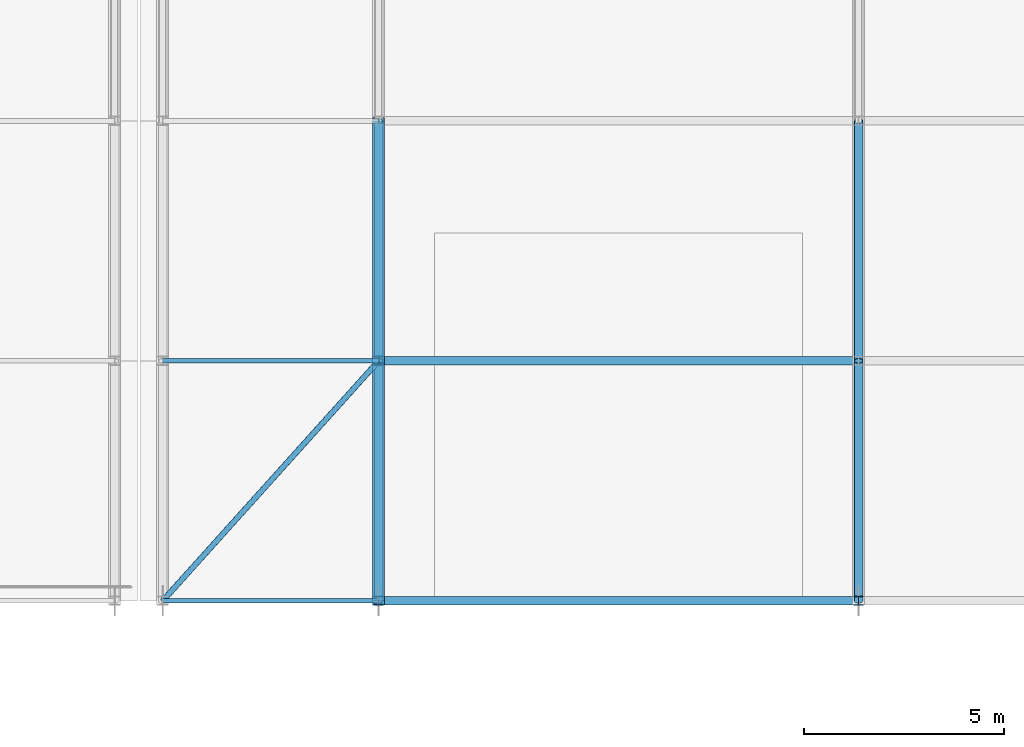
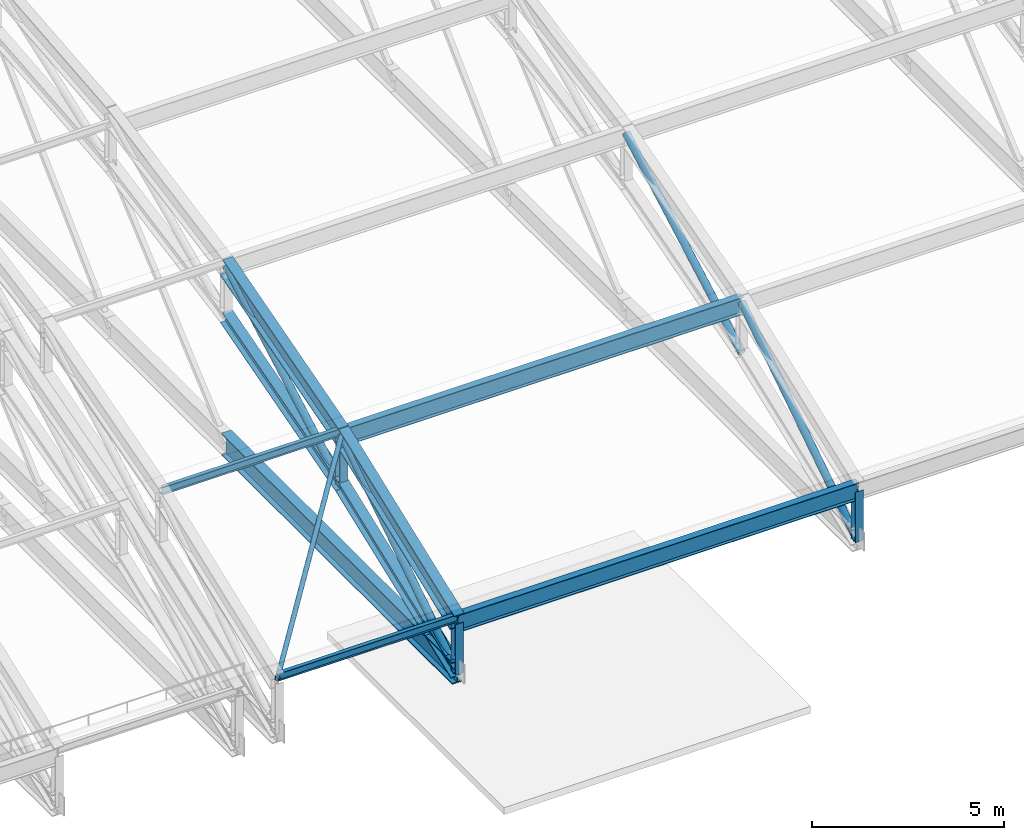
# One storey, part 117 of 204: 17 members.
"""IFC4 building model written with IfcOpenShell, lengths in metres."""

from ifc_helpers import new_model, si_unit, direction, frame, origin, origin_2d, place, context, subcontext, project, spatial, hollow_circle, i_section, extrude, material, material_profile, profile_set, type_object, element, save


model = new_model("IFC4")

# Units and contexts
model_context = context("Model", 3, precision=1e-05, world=origin(), true_north=direction((0.0, 1.0)))
body_context = subcontext(model_context, "Body", "Model", "MODEL_VIEW")
ifc_project = project(units=[si_unit("LENGTHUNIT", "METRE"), si_unit("AREAUNIT", "SQUARE_METRE"), si_unit("VOLUMEUNIT", "CUBIC_METRE"), si_unit("PLANEANGLEUNIT", "RADIAN"), si_unit("MASSUNIT", "GRAM", prefix="KILO")], contexts=[model_context])

# Site, building, storey
site_placement = place(None, origin())
site = spatial("IfcSite", under=ifc_project, at=site_placement, CompositionType="ELEMENT")
building_placement = place(site_placement, origin())
building = spatial("IfcBuilding", under=site, at=building_placement, Name="Zilviju Railside Exhibition Hall", CompositionType="ELEMENT")
storey_placement = place(building_placement, frame((0.0, 0.0, 21.0)))
storey = spatial("IfcBuildingStorey", under=building, at=storey_placement, Name="RF", CompositionType="ELEMENT", Elevation=21.0)

# Members
ifc_material = material(Name="Steel S355J2", Category="steel")
ifc_material_profile_1 = material_profile(ifc_material, hollow_circle(Radius=0.06982421875, WallThickness=0.00634765625, at=origin_2d()), Name="CHS 139.7x6.3")
ifc_profile_set_1 = profile_set([ifc_material_profile_1], Name="Steel S355J2")
member_type_1 = type_object("IfcMemberType", Name="TR-BR-CHS139", PredefinedType="BRACE", material=ifc_profile_set_1)
member_1_placement = place(storey_placement, frame((126.60009765625, 84.0, -1.94189453125), z_axis=(0.64432774386, 0.715932662677, 0.268853456374), x_axis=(-0.743300161789, 0.668958047626, 0.0)))
element("IfcMember", 1, at=member_1_placement, inside=storey, type_object=member_type_1, Name="V2 Roof Wind Brace (126.6..132.0)", PredefinedType="BRACE", context=body_context, shape_type="SweptSolid", body=[
    extrude(hollow_circle(Radius=0.06982421875, WallThickness=0.00634765625, at=origin_2d()), origin(), (0.0, 0.0, 1.0), 8.380615234375),
])
ifc_material_profile_2 = material_profile(ifc_material, hollow_circle(Radius=0.109619140625, WallThickness=0.010009765625, at=origin_2d()), Name="CHS 219.1x10.0")
ifc_profile_set_2 = profile_set([ifc_material_profile_2], Name="Steel S355J2")
member_type_2 = type_object("IfcMemberType", Name="TR-BR-CHS219", PredefinedType="BRACE", material=ifc_profile_set_2)
member_2_placement = place(storey_placement, frame((132.0, 84.0, -3.60009765625), z_axis=(0.0, 0.838995406637, 0.544138500423), x_axis=(-1.0, 0.0, 0.0)))
element("IfcMember", 2, at=member_2_placement, inside=storey, type_object=member_type_2, Name="V2 Parabolic Arch Web Diagonal X=132.0 P1", PredefinedType="BRACE", context=body_context, shape_type="SweptSolid", body=[
    extrude(hollow_circle(Radius=0.109619140625, WallThickness=0.010009765625, at=origin_2d()), origin(), (0.0, 0.0, 1.0), 7.1513671875),
])
member_3_placement = place(storey_placement, frame((132.0, 90.0, -1.30859375), z_axis=(0.0, 0.8750828143, 0.483973210122), x_axis=(-1.0, 0.0, 0.0)))
element("IfcMember", 3, at=member_3_placement, inside=storey, type_object=member_type_2, Name="V2 Parabolic Arch Web Diagonal X=132.0 P2", PredefinedType="BRACE", context=body_context, shape_type="SweptSolid", body=[
    extrude(hollow_circle(Radius=0.109619140625, WallThickness=0.010009765625, at=origin_2d()), origin(), (0.0, 0.0, 1.0), 6.8564453125),
])
member_4_placement = place(storey_placement, frame((144.0, 84.0, -3.60009765625), z_axis=(0.0, 0.838995406637, 0.544138500423), x_axis=(-1.0, 0.0, 0.0)))
element("IfcMember", 4, at=member_4_placement, inside=storey, type_object=member_type_2, Name="V2 Parabolic Arch Web Diagonal X=144.0 P1", PredefinedType="BRACE", context=body_context, shape_type="SweptSolid", body=[
    extrude(hollow_circle(Radius=0.109619140625, WallThickness=0.010009765625, at=origin_2d()), origin(), (0.0, 0.0, 1.0), 7.1513671875),
])
member_5_placement = place(storey_placement, frame((144.0, 90.0, -1.30859375), z_axis=(0.0, 0.8750828143, 0.483973210122), x_axis=(-1.0, 0.0, 0.0)))
element("IfcMember", 5, at=member_5_placement, inside=storey, type_object=member_type_2, Name="V2 Parabolic Arch Web Diagonal X=144.0 P2", PredefinedType="BRACE", context=body_context, shape_type="SweptSolid", body=[
    extrude(hollow_circle(Radius=0.109619140625, WallThickness=0.010009765625, at=origin_2d()), origin(), (0.0, 0.0, 1.0), 6.8564453125),
])
ifc_material_profile_3 = material_profile(ifc_material, i_section(OverallWidth=0.300048828125, OverallDepth=0.39990234375, WebThickness=0.013427734375, FlangeThickness=0.02392578125, at=origin_2d()), Name="HEB 400")
ifc_profile_set_3 = profile_set([ifc_material_profile_3], Name="Steel S355J2")
member_type_3 = type_object("IfcMemberType", Name="TR-CH-HEB400", PredefinedType="CHORD", material=ifc_profile_set_3)
member_6_placement = place(storey_placement, frame((132.0, 84.0, -3.60009765625), z_axis=(0.0, 0.934187521086, 0.35678239229), x_axis=(-1.0, 0.0, 0.0)))
element("IfcMember", 6, at=member_6_placement, inside=storey, type_object=member_type_3, Name="V2 Parabolic Arch Bottom Chord X=132.0 P1", PredefinedType="CHORD", context=body_context, shape_type="SweptSolid", body=[
    extrude(i_section(OverallWidth=0.300048828125, OverallDepth=0.39990234375, WebThickness=0.013427734375, FlangeThickness=0.02392578125, at=origin_2d()), origin(), (0.0, 0.0, 1.0), 6.422607421875),
])
member_7_placement = place(storey_placement, frame((132.0, 90.0, -1.30859375), z_axis=(0.0, 0.961345133658, 0.275346207512), x_axis=(-1.0, 0.0, 0.0)))
element("IfcMember", 7, at=member_7_placement, inside=storey, type_object=member_type_3, Name="V2 Parabolic Arch Bottom Chord X=132.0 P2", PredefinedType="CHORD", context=body_context, shape_type="SweptSolid", body=[
    extrude(i_section(OverallWidth=0.300048828125, OverallDepth=0.39990234375, WebThickness=0.013427734375, FlangeThickness=0.02392578125, at=origin_2d()), origin(), (0.0, 0.0, 1.0), 6.2412109375),
])
ifc_material_profile_4 = material_profile(ifc_material, i_section(OverallWidth=0.300048828125, OverallDepth=0.60009765625, WebThickness=0.015380859375, FlangeThickness=0.030029296875, at=origin_2d()), Name="HEB 600")
ifc_profile_set_4 = profile_set([ifc_material_profile_4], Name="Steel S355J2")
member_type_4 = type_object("IfcMemberType", Name="TR-CH-HEB600", PredefinedType="CHORD", material=ifc_profile_set_4)
member_8_placement = place(storey_placement, frame((132.0, 84.0, -2.0), z_axis=(0.0, 0.934200190194, 0.356749218138), x_axis=(-1.0, 0.0, 0.0)))
element("IfcMember", 8, at=member_8_placement, inside=storey, type_object=member_type_4, Name="V2 Parabolic Arch Top Chord X=132.0 P1", PredefinedType="CHORD", context=body_context, shape_type="SweptSolid", body=[
    extrude(i_section(OverallWidth=0.300048828125, OverallDepth=0.60009765625, WebThickness=0.015380859375, FlangeThickness=0.030029296875, at=origin_2d()), origin(), (0.0, 0.0, 1.0), 6.422607421875),
])
member_9_placement = place(storey_placement, frame((132.0, 90.0, 0.291259765625), z_axis=(0.0, 0.961345133658, 0.275346207512), x_axis=(-1.0, 0.0, 0.0)))
element("IfcMember", 9, at=member_9_placement, inside=storey, type_object=member_type_4, Name="V2 Parabolic Arch Top Chord X=132.0 P2", PredefinedType="CHORD", context=body_context, shape_type="SweptSolid", body=[
    extrude(i_section(OverallWidth=0.300048828125, OverallDepth=0.60009765625, WebThickness=0.015380859375, FlangeThickness=0.030029296875, at=origin_2d()), origin(), (0.0, 0.0, 1.0), 6.2412109375),
])
ifc_material_profile_5 = material_profile(ifc_material, i_section(OverallWidth=0.239990234375, OverallDepth=0.22998046875, WebThickness=0.007568359375, FlangeThickness=0.011962890625, at=origin_2d()), Name="HEA 240")
ifc_profile_set_5 = profile_set([ifc_material_profile_5], Name="Steel S355J2")
member_type_5 = type_object("IfcMemberType", Name="TR-POST-HEA240", PredefinedType="POST", material=ifc_profile_set_5)
member_10_placement = place(storey_placement, frame((132.0, 84.0, -3.60009765625), z_axis=(0.0, 0.0, 1.0), x_axis=(1.0, 0.0, 0.0)))
element("IfcMember", 10, at=member_10_placement, inside=storey, type_object=member_type_5, Name="V2 Parabolic Arch Web Post X=132.0 N0", PredefinedType="POST", context=body_context, shape_type="SweptSolid", body=[
    extrude(i_section(OverallWidth=0.239990234375, OverallDepth=0.22998046875, WebThickness=0.007568359375, FlangeThickness=0.011962890625, at=origin_2d()), origin(), (0.0, 0.0, 1.0), 1.60009765625),
])
member_11_placement = place(storey_placement, frame((132.0, 90.0, -1.30859375), z_axis=(0.0, 0.0, 1.0), x_axis=(1.0, 0.0, 0.0)))
element("IfcMember", 11, at=member_11_placement, inside=storey, type_object=member_type_5, Name="V2 Parabolic Arch Web Post X=132.0 N1", PredefinedType="POST", context=body_context, shape_type="SweptSolid", body=[
    extrude(i_section(OverallWidth=0.239990234375, OverallDepth=0.22998046875, WebThickness=0.007568359375, FlangeThickness=0.011962890625, at=origin_2d()), origin(), (0.0, 0.0, 1.0), 1.599853515625),
])
member_12_placement = place(storey_placement, frame((144.0, 84.0, -3.60009765625), z_axis=(0.0, 0.0, 1.0), x_axis=(1.0, 0.0, 0.0)))
element("IfcMember", 12, at=member_12_placement, inside=storey, type_object=member_type_5, Name="V2 Parabolic Arch Web Post X=144.0 N0", PredefinedType="POST", context=body_context, shape_type="SweptSolid", body=[
    extrude(i_section(OverallWidth=0.239990234375, OverallDepth=0.22998046875, WebThickness=0.007568359375, FlangeThickness=0.011962890625, at=origin_2d()), origin(), (0.0, 0.0, 1.0), 1.60009765625),
])
ifc_material_profile_6 = material_profile(ifc_material, i_section(OverallWidth=0.1201171875, OverallDepth=0.239990234375, WebThickness=0.006103515625, FlangeThickness=0.009765625, at=origin_2d()), Name="IPE 240")
ifc_profile_set_6 = profile_set([ifc_material_profile_6], Name="Steel S355J2")
member_type_6 = type_object("IfcMemberType", Name="TR-PUR-IPE240", PredefinedType="PURLIN", material=ifc_profile_set_6)
for number, where, z_axis, x_axis, name in (
    (13, (126.60009765625, 84.0, -1.85693359375), (1.0, 0.0, 0.0), (0.0, 1.0, 0.0), "V2 Barrel Vault Roof Purlin Y=84.0 (126.6..132.0)"),
    (14, (126.60009765625, 90.0, 0.41162109375), (1.0, 0.0, 0.0), (0.0, 1.0, 0.0), "V2 Barrel Vault Roof Purlin Y=90.0 (126.6..132.0)"),
):
    element("IfcMember", number, at=place(storey_placement, frame(where, z_axis=z_axis, x_axis=x_axis)), inside=storey, type_object=member_type_6, Name=name, PredefinedType="PURLIN", context=body_context, shape_type="SweptSolid", body=[
        extrude(i_section(OverallWidth=0.1201171875, OverallDepth=0.239990234375, WebThickness=0.006103515625, FlangeThickness=0.009765625, at=origin_2d()), origin(), (0.0, 0.0, 1.0), 5.39990234375),
    ])
ifc_material_profile_7 = material_profile(ifc_material, i_section(OverallWidth=0.2099609375, OverallDepth=0.550048828125, WebThickness=0.010986328125, FlangeThickness=0.01708984375, at=origin_2d()), Name="IPE 550")
ifc_profile_set_7 = profile_set([ifc_material_profile_7], Name="Steel S355J2")
member_type_7 = type_object("IfcMemberType", Name="TR-PUR-IPE550", PredefinedType="PURLIN", material=ifc_profile_set_7)
for number, where, z_axis, x_axis, name in (
    (15, (132.0, 84.0, -2.011962890625), (1.0, 0.0, 0.0), (0.0, 1.0, 0.0), "V2 Barrel Vault Roof Purlin Y=84.0 (132.0..144.0)"),
    (16, (132.0, 90.0, 0.239501953125), (1.0, 0.0, 0.0), (0.0, 1.0, 0.0), "V2 Barrel Vault Roof Purlin Y=90.0 (132.0..144.0)"),
):
    element("IfcMember", number, at=place(storey_placement, frame(where, z_axis=z_axis, x_axis=x_axis)), inside=storey, type_object=member_type_7, Name=name, PredefinedType="PURLIN", context=body_context, shape_type="SweptSolid", body=[
        extrude(i_section(OverallWidth=0.2099609375, OverallDepth=0.550048828125, WebThickness=0.010986328125, FlangeThickness=0.01708984375, at=origin_2d()), origin(), (0.0, 0.0, 1.0), 12.0),
    ])
ifc_material_profile_8 = material_profile(ifc_material, i_section(OverallWidth=0.300048828125, OverallDepth=0.699951171875, WebThickness=0.01708984375, FlangeThickness=0.031982421875, at=origin_2d()), Name="HEB 700")
ifc_profile_set_8 = profile_set([ifc_material_profile_8], Name="Steel S355J2")
member_type_8 = type_object("IfcMemberType", Name="TR-TIE-HEB700", PredefinedType="CHORD", material=ifc_profile_set_8)
member_13_placement = place(storey_placement, frame((132.0, 84.0, -3.60009765625), z_axis=(0.0, 1.0, 0.0), x_axis=(-1.0, 0.0, 0.0)))
element("IfcMember", 17, at=member_13_placement, inside=storey, type_object=member_type_8, Name="V2 Arch Tie Member X=132.0", PredefinedType="CHORD", context=body_context, shape_type="SweptSolid", body=[
    extrude(i_section(OverallWidth=0.300048828125, OverallDepth=0.699951171875, WebThickness=0.01708984375, FlangeThickness=0.031982421875, at=origin_2d()), origin(), (0.0, 0.0, 1.0), 12.0),
])

save(model, "model.ifc")
